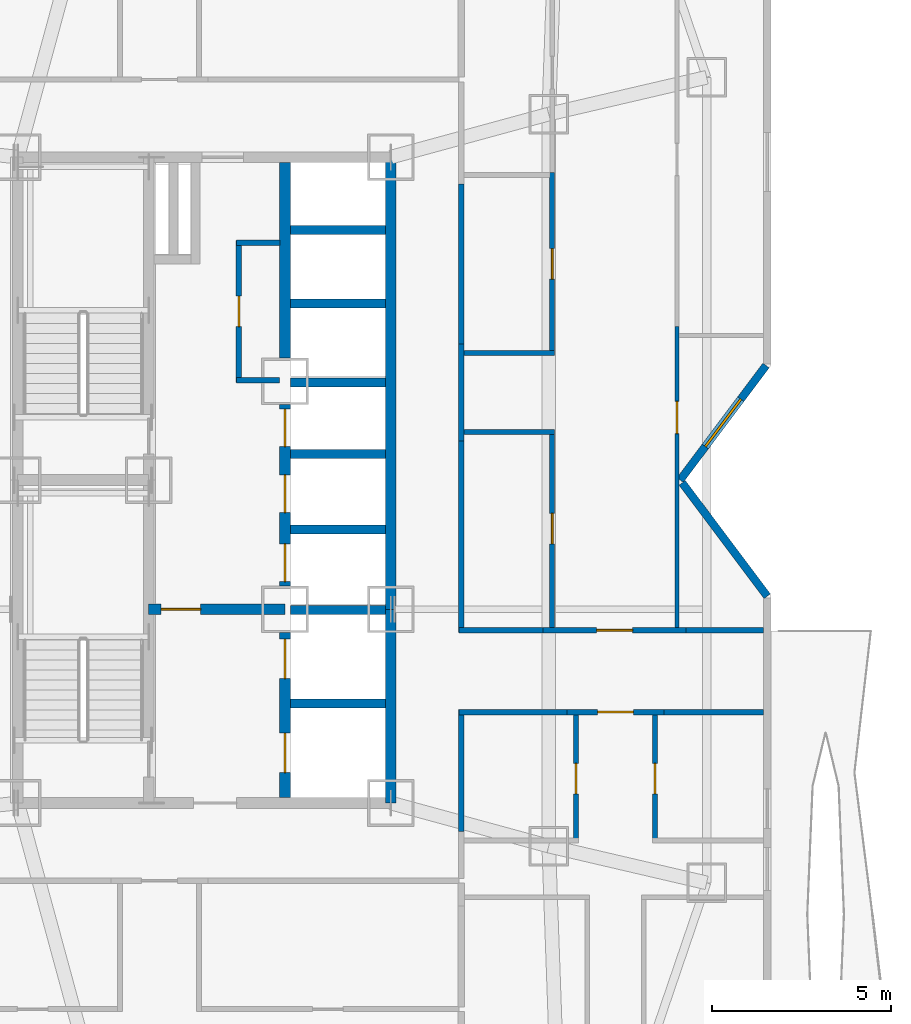
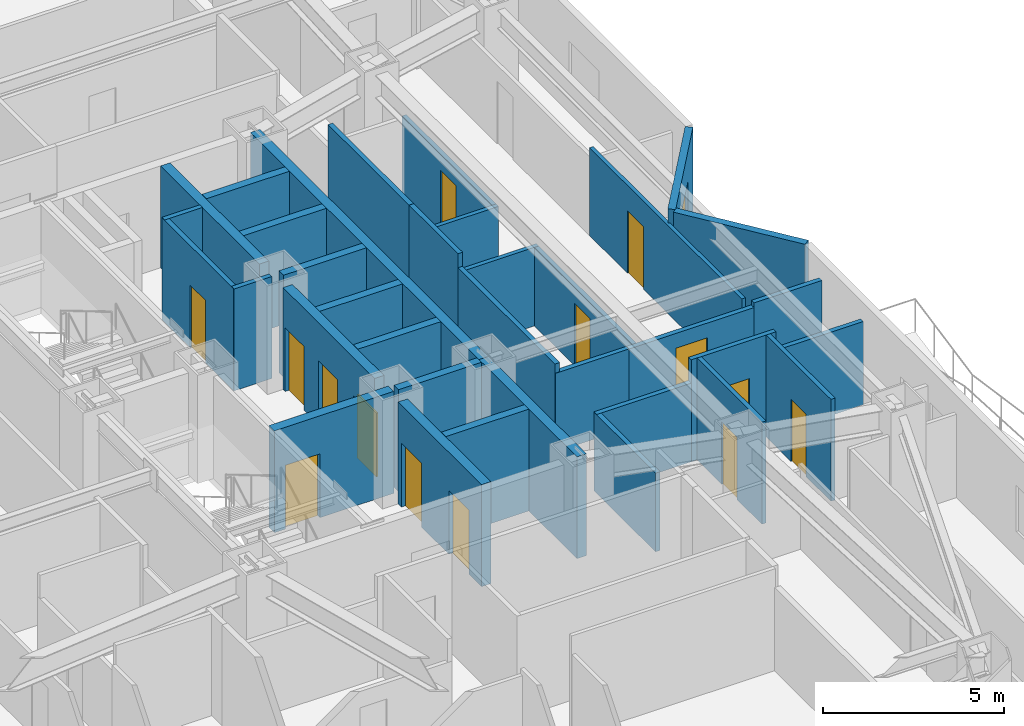
# One storey, part 11 of 16: 35 walls, 14 doors, 1 window, 15 openings.
"""IFC4 building model written with IfcOpenShell, lengths in metres."""

from ifc_helpers import new_model, si_unit, direction, frame, frame_2d, origin, place, context, subcontext, project, spatial, rectangle, extrude, material, layer, layer_set, type_object, element, fill, save


model = new_model("IFC4")

# Units and contexts
model_context = context("Model", 3, precision=1e-05, world=origin(), true_north=direction((0.0, 1.0)))
body_context = subcontext(model_context, "Body", "Model", "MODEL_VIEW")
ifc_project = project(units=[si_unit("LENGTHUNIT", "METRE"), si_unit("AREAUNIT", "SQUARE_METRE"), si_unit("VOLUMEUNIT", "CUBIC_METRE"), si_unit("PLANEANGLEUNIT", "RADIAN"), si_unit("MASSUNIT", "GRAM", prefix="KILO")], contexts=[model_context])

# Site, building, storey
site_placement = place(None, origin())
site = spatial("IfcSite", under=ifc_project, at=site_placement, CompositionType="ELEMENT")
building_placement = place(site_placement, origin())
building = spatial("IfcBuilding", under=site, at=building_placement, Name="Khamvora Tower", CompositionType="ELEMENT")
storey_placement = place(building_placement, frame((0.0, 0.0, 55.199951171875)))
storey = spatial("IfcBuildingStorey", under=building, at=storey_placement, Name="L13", CompositionType="ELEMENT", Elevation=55.199951171875)

# Walls
ifc_material_1 = material(Name="Concrete C50/60", Category="concrete")
ifc_layer_1 = layer(ifc_material_1, 0.300048828125)
ifc_layer_set_1 = layer_set([ifc_layer_1], Name="Concrete C50/60")
wall_type_1 = type_object("IfcWallType", Name="WAL-CORE-300", PredefinedType="SHEAR", material=ifc_layer_set_1)
wall_1_placement = place(storey_placement, frame((39.39990234375, 19.0, 0.0), z_axis=(0.0, 0.0, 1.0), x_axis=(0.0, 1.0, 0.0)))
element("IfcWall", 1, at=wall_1_placement, inside=storey, type_object=wall_type_1, Name="L13 central core east south wall", PredefinedType="SHEAR", context=body_context, shape_type="SweptSolid", body=[
    extrude(rectangle(XDim=5.39990234375, YDim=0.300048828125, at=frame_2d((2.699951171875, 0.0))), origin(), (0.0, 0.0, 1.0), 3.429931640625),
])
wall_2_placement = place(storey_placement, frame((39.39990234375, 24.39990234375, 0.0), z_axis=(0.0, 0.0, 1.0), x_axis=(0.0, 1.0, 0.0)))
element("IfcWall", 2, at=wall_2_placement, inside=storey, type_object=wall_type_1, Name="L13 central core east north wall", PredefinedType="SHEAR", context=body_context, shape_type="SweptSolid", body=[
    extrude(rectangle(XDim=12.60009765625, YDim=0.300048828125, at=frame_2d((6.300048828125, 0.0))), origin(), (0.0, 0.0, 1.0), 3.429931640625),
])

# Wall, opening, door
wall_3_placement = place(storey_placement, frame((32.64990234375, 24.39990234375, 0.0), z_axis=(0.0, 0.0, 1.0), x_axis=(1.0, 0.0, 0.0)))
wall_3 = element("IfcWall", 3, at=wall_3_placement, inside=storey, type_object=wall_type_1, Name="L13 central core firefighting lobby north wall", PredefinedType="SHEAR", context=body_context, shape_type="SweptSolid", body=[
    extrude(rectangle(XDim=3.800048828125, YDim=0.300048828125, at=frame_2d((1.89990234375, 0.0))), origin(), (0.0, 0.0, 1.0), 3.429931640625),
])
opening_1_placement = place(wall_3_placement, frame((0.35009765625, 0.0, 0.0)))
opening_1 = element("IfcOpeningElement", 4, at=opening_1_placement, cuts=wall_3, Name="Opening D-FF1", PredefinedType="OPENING", context=body_context, shape_type="SweptSolid", body=[
    extrude(rectangle(XDim=1.10009765625, YDim=2.14990234375, at=frame_2d((0.550048828125, 1.074951171875))), frame((0.0, 0.159912109375, 0.0), z_axis=(0.0, -1.0, 0.0), x_axis=(1.0, 0.0, 0.0)), (0.0, 0.0, 1.0), 0.320068359375),
])
ifc_material_2 = material(Name="Powder-Coated Steel and Hardwood Leaf", Category="steel")
door_type_1 = type_object("IfcDoorType", Name="DOR-FFLOB-1100", OperationType="NOTDEFINED", PredefinedType="DOOR", material=ifc_material_2)
door_1_placement = place(opening_1_placement, origin())
door_1 = element("IfcDoor", 5, at=door_1_placement, inside=storey, type_object=door_type_1, Name="L13 firefighting lobby smoke-seal fire door", OperationType="SINGLE_SWING_RIGHT", OverallHeight=2.14990234375, OverallWidth=1.10009765625, PredefinedType="DOOR", context=body_context, shape_type="SweptSolid", body=[
    extrude(rectangle(XDim=1.10009765625, YDim=2.14990234375, at=frame_2d((0.550048828125, 1.074951171875))), frame((0.0, 0.02490234375, 0.0), z_axis=(0.0, -1.0, 0.0), x_axis=(1.0, 0.0, 0.0)), (0.0, 0.0, 1.0), 0.050048828125),
])
fill(opening_1, door_1)

# Wall, openings, doors
wall_4_placement = place(storey_placement, frame((36.449951171875, 19.154052734375, 0.0), z_axis=(0.0, 0.0, 1.0), x_axis=(0.0, 1.0, 0.0)))
wall_4 = element("IfcWall", 6, at=wall_4_placement, inside=storey, type_object=wall_type_1, Name="L13 central core lift bank south wall", PredefinedType="SHEAR", context=body_context, shape_type="SweptSolid", body=[
    extrude(rectangle(XDim=4.595947265625, YDim=0.300048828125, at=frame_2d((2.2978515625, 0.0))), origin(), (0.0, 0.0, 1.0), 3.429931640625),
])
opening_2_placement = place(wall_4_placement, frame((0.696044921875, 0.0, 0.0)))
opening_2 = element("IfcOpeningElement", 7, at=opening_2_placement, cuts=wall_4, Name="Opening LD-FFL", PredefinedType="OPENING", context=body_context, shape_type="SweptSolid", body=[
    extrude(rectangle(XDim=1.10009765625, YDim=2.14990234375, at=frame_2d((0.550048828125, 1.074951171875))), frame((0.0, 0.159912109375, 0.0), z_axis=(0.0, -1.0, 0.0), x_axis=(1.0, 0.0, 0.0)), (0.0, 0.0, 1.0), 0.320068359375),
])
opening_3_placement = place(wall_4_placement, frame((3.31591796875, 0.0, 0.0)))
opening_3 = element("IfcOpeningElement", 8, at=opening_3_placement, cuts=wall_4, Name="Opening LD-FFL", PredefinedType="OPENING", context=body_context, shape_type="SweptSolid", body=[
    extrude(rectangle(XDim=1.10009765625, YDim=2.14990234375, at=frame_2d((0.550048828125, 1.074951171875))), frame((0.0, 0.159912109375, 0.0), z_axis=(0.0, -1.0, 0.0), x_axis=(1.0, 0.0, 0.0)), (0.0, 0.0, 1.0), 0.320068359375),
])
door_type_2 = type_object("IfcDoorType", Name="DOR-LIFT-1100", OperationType="SLIDING_TO_LEFT", PredefinedType="DOOR", material=ifc_material_2)
door_2_placement = place(opening_2_placement, origin())
door_2 = element("IfcDoor", 9, at=door_2_placement, inside=storey, type_object=door_type_2, Name="L13 lift landing sliding door FFL-01", OperationType="SLIDING_TO_LEFT", OverallHeight=2.14990234375, OverallWidth=1.10009765625, PredefinedType="DOOR", context=body_context, shape_type="SweptSolid", body=[
    extrude(rectangle(XDim=1.10009765625, YDim=2.14990234375, at=frame_2d((0.550048828125, 1.074951171875))), frame((0.0, 0.02490234375, 0.0), z_axis=(0.0, -1.0, 0.0), x_axis=(1.0, 0.0, 0.0)), (0.0, 0.0, 1.0), 0.050048828125),
])
fill(opening_2, door_2)
door_3_placement = place(opening_3_placement, origin())
door_3 = element("IfcDoor", 10, at=door_3_placement, inside=storey, type_object=door_type_2, Name="L13 lift landing sliding door FFL-02", OperationType="SLIDING_TO_LEFT", OverallHeight=2.14990234375, OverallWidth=1.10009765625, PredefinedType="DOOR", context=body_context, shape_type="SweptSolid", body=[
    extrude(rectangle(XDim=1.10009765625, YDim=2.14990234375, at=frame_2d((0.550048828125, 1.074951171875))), frame((0.0, 0.02490234375, 0.0), z_axis=(0.0, -1.0, 0.0), x_axis=(1.0, 0.0, 0.0)), (0.0, 0.0, 1.0), 0.050048828125),
])
fill(opening_3, door_3)

wall_5_placement = place(storey_placement, frame((36.449951171875, 25.050048828125, 0.0), z_axis=(0.0, 0.0, 1.0), x_axis=(0.0, 1.0, 0.0)))
wall_5 = element("IfcWall", 11, at=wall_5_placement, inside=storey, type_object=wall_type_1, Name="L13 central core lift bank central wall", PredefinedType="SHEAR", context=body_context, shape_type="SweptSolid", body=[
    extrude(rectangle(XDim=5.050048828125, YDim=0.300048828125, at=frame_2d((2.52490234375, 0.0))), origin(), (0.0, 0.0, 1.0), 3.429931640625),
])
opening_4_placement = place(wall_5_placement, frame((0.1201171875, 0.0, 0.0)))
opening_4 = element("IfcOpeningElement", 12, at=opening_4_placement, cuts=wall_5, Name="Opening LD-PL", PredefinedType="OPENING", context=body_context, shape_type="SweptSolid", body=[
    extrude(rectangle(XDim=1.050048828125, YDim=2.14990234375, at=frame_2d((0.52490234375, 1.074951171875))), frame((0.0, 0.159912109375, 0.0), z_axis=(0.0, -1.0, 0.0), x_axis=(1.0, 0.0, 0.0)), (0.0, 0.0, 1.0), 0.320068359375),
])
opening_5_placement = place(wall_5_placement, frame((2.044921875, 0.0, 0.0)))
opening_5 = element("IfcOpeningElement", 13, at=opening_5_placement, cuts=wall_5, Name="Opening LD-PL", PredefinedType="OPENING", context=body_context, shape_type="SweptSolid", body=[
    extrude(rectangle(XDim=1.050048828125, YDim=2.14990234375, at=frame_2d((0.52490234375, 1.074951171875))), frame((0.0, 0.159912109375, 0.0), z_axis=(0.0, -1.0, 0.0), x_axis=(1.0, 0.0, 0.0)), (0.0, 0.0, 1.0), 0.320068359375),
])
opening_6_placement = place(wall_5_placement, frame((3.8798828125, 0.0, 0.0)))
opening_6 = element("IfcOpeningElement", 14, at=opening_6_placement, cuts=wall_5, Name="Opening LD-PL", PredefinedType="OPENING", context=body_context, shape_type="SweptSolid", body=[
    extrude(rectangle(XDim=1.050048828125, YDim=2.14990234375, at=frame_2d((0.52490234375, 1.074951171875))), frame((0.0, 0.159912109375, 0.0), z_axis=(0.0, -1.0, 0.0), x_axis=(1.0, 0.0, 0.0)), (0.0, 0.0, 1.0), 0.320068359375),
])
door_type_3 = type_object("IfcDoorType", Name="DOR-LIFT-1050", OperationType="SLIDING_TO_LEFT", PredefinedType="DOOR", material=ifc_material_2)
door_4_placement = place(opening_4_placement, origin())
door_4 = element("IfcDoor", 15, at=door_4_placement, inside=storey, type_object=door_type_3, Name="L13 lift landing sliding door PL-01", OperationType="SLIDING_TO_LEFT", OverallHeight=2.14990234375, OverallWidth=1.050048828125, PredefinedType="DOOR", context=body_context, shape_type="SweptSolid", body=[
    extrude(rectangle(XDim=1.050048828125, YDim=2.14990234375, at=frame_2d((0.52490234375, 1.074951171875))), frame((0.0, 0.02490234375, 0.0), z_axis=(0.0, -1.0, 0.0), x_axis=(1.0, 0.0, 0.0)), (0.0, 0.0, 1.0), 0.050048828125),
])
fill(opening_4, door_4)
door_5_placement = place(opening_5_placement, origin())
door_5 = element("IfcDoor", 16, at=door_5_placement, inside=storey, type_object=door_type_3, Name="L13 lift landing sliding door PL-02", OperationType="SLIDING_TO_LEFT", OverallHeight=2.14990234375, OverallWidth=1.050048828125, PredefinedType="DOOR", context=body_context, shape_type="SweptSolid", body=[
    extrude(rectangle(XDim=1.050048828125, YDim=2.14990234375, at=frame_2d((0.52490234375, 1.074951171875))), frame((0.0, 0.02490234375, 0.0), z_axis=(0.0, -1.0, 0.0), x_axis=(1.0, 0.0, 0.0)), (0.0, 0.0, 1.0), 0.050048828125),
])
fill(opening_5, door_5)
door_6_placement = place(opening_6_placement, origin())
door_6 = element("IfcDoor", 17, at=door_6_placement, inside=storey, type_object=door_type_3, Name="L13 lift landing sliding door PL-03", OperationType="SLIDING_TO_LEFT", OverallHeight=2.14990234375, OverallWidth=1.050048828125, PredefinedType="DOOR", context=body_context, shape_type="SweptSolid", body=[
    extrude(rectangle(XDim=1.050048828125, YDim=2.14990234375, at=frame_2d((0.52490234375, 1.074951171875))), frame((0.0, 0.02490234375, 0.0), z_axis=(0.0, -1.0, 0.0), x_axis=(1.0, 0.0, 0.0)), (0.0, 0.0, 1.0), 0.050048828125),
])
fill(opening_6, door_6)

# Walls
wall_6_placement = place(storey_placement, frame((36.449951171875, 31.39990234375, 0.0), z_axis=(0.0, 0.0, 1.0), x_axis=(0.0, 1.0, 0.0)))
element("IfcWall", 18, at=wall_6_placement, inside=storey, type_object=wall_type_1, Name="L13 central core lift bank north wall", PredefinedType="SHEAR", context=body_context, shape_type="SweptSolid", body=[
    extrude(rectangle(XDim=5.446044921875, YDim=0.300048828125, at=frame_2d((2.72314453125, 0.0))), origin(), (0.0, 0.0, 1.0), 3.429931640625),
])
ifc_material_3 = material(Name="Fire-Rated Drywall and Steel Stud", Category="steel")
ifc_layer_2 = layer(ifc_material_3, 0.14990234375)
ifc_layer_set_2 = layer_set([ifc_layer_2], Name="Fire-Rated Drywall and Steel Stud")
wall_type_2 = type_object("IfcWallType", Name="WAL-CORR-150", PredefinedType="STANDARD", material=ifc_layer_set_2)
wall_7_placement = place(storey_placement, frame((36.305908203125, 34.614990234375, 0.0), z_axis=(0.0, 0.0, 1.0), x_axis=(-1.0, 0.0, 0.0)))
element("IfcWall", 19, at=wall_7_placement, inside=storey, type_object=wall_type_2, Name="L13 interior partition wall 001", PredefinedType="STANDARD", context=body_context, shape_type="SweptSolid", body=[
    extrude(rectangle(XDim=1.205810546875, YDim=0.14990234375, at=frame_2d((0.60302734375, 0.0))), origin(), (0.0, 0.0, 1.0), 3.429931640625),
])

# Wall, opening, door
wall_8_placement = place(storey_placement, frame((35.1650390625, 34.677978515625, 0.0), z_axis=(0.0, 0.0, 1.0), x_axis=(0.0, -1.0, 0.0)))
wall_8 = element("IfcWall", 20, at=wall_8_placement, inside=storey, type_object=wall_type_2, Name="L13 interior partition wall 002", PredefinedType="STANDARD", context=body_context, shape_type="SweptSolid", body=[
    extrude(rectangle(XDim=3.9580078125, YDim=0.14990234375, at=frame_2d((1.97900390625, 0.0))), origin(), (0.0, 0.0, 1.0), 3.429931640625),
])
opening_7_placement = place(wall_8_placement, frame((1.553955078125, 0.0, 0.0)))
opening_7 = element("IfcOpeningElement", 21, at=opening_7_placement, cuts=wall_8, Name="Opening D-WC1", PredefinedType="OPENING", context=body_context, shape_type="SweptSolid", body=[
    extrude(rectangle(XDim=0.85009765625, YDim=2.10009765625, at=frame_2d((0.425048828125, 1.050048828125))), frame((0.0, 0.0849609375, 0.0), z_axis=(0.0, -1.0, 0.0), x_axis=(1.0, 0.0, 0.0)), (0.0, 0.0, 1.0), 0.169921875),
])
door_type_4 = type_object("IfcDoorType", Name="DOR-WET-850", OperationType="NOTDEFINED", PredefinedType="DOOR", material=ifc_material_2)
door_7_placement = place(opening_7_placement, origin())
door_7 = element("IfcDoor", 22, at=door_7_placement, inside=storey, type_object=door_type_4, Name="L13 interior door PLL-CS1", OperationType="SINGLE_SWING_LEFT", OverallHeight=2.10009765625, OverallWidth=0.85009765625, PredefinedType="DOOR", context=body_context, shape_type="SweptSolid", body=[
    extrude(rectangle(XDim=0.85009765625, YDim=2.10009765625, at=frame_2d((0.425048828125, 1.050048828125))), frame((0.0, 0.02490234375, 0.0), z_axis=(0.0, -1.0, 0.0), x_axis=(1.0, 0.0, 0.0)), (0.0, 0.0, 1.0), 0.050048828125),
])
fill(opening_7, door_7)

# Wall
wall_9_placement = place(storey_placement, frame((35.10205078125, 30.784912109375, 0.0), z_axis=(0.0, 0.0, 1.0), x_axis=(1.0, 0.0, 0.0)))
element("IfcWall", 23, at=wall_9_placement, inside=storey, type_object=wall_type_2, Name="L13 interior partition wall 003", PredefinedType="STANDARD", context=body_context, shape_type="SweptSolid", body=[
    extrude(rectangle(XDim=1.197998046875, YDim=0.14990234375, at=frame_2d((0.59912109375, 0.0))), origin(), (0.0, 0.0, 1.0), 3.429931640625),
])

# Wall, opening, door
wall_10_placement = place(storey_placement, frame((47.009033203125, 21.534912109375, 0.0), z_axis=(0.0, 0.0, 1.0), x_axis=(-1.0, 0.0, 0.0)))
wall_10 = element("IfcWall", 24, at=wall_10_placement, inside=storey, type_object=wall_type_2, Name="L13 interior partition wall 028", PredefinedType="STANDARD", context=body_context, shape_type="SweptSolid", body=[
    extrude(rectangle(XDim=2.697998046875, YDim=0.14990234375, at=frame_2d((1.34912109375, 0.0))), origin(), (0.0, 0.0, 1.0), 3.429931640625),
])
opening_8_placement = place(wall_10_placement, frame((0.84912109375, 0.0, 0.0)))
opening_8 = element("IfcOpeningElement", 25, at=opening_8_placement, cuts=wall_10, Name="Opening D-U1", PredefinedType="OPENING", context=body_context, shape_type="SweptSolid", body=[
    extrude(rectangle(XDim=1.0, YDim=2.14990234375, at=frame_2d((0.5, 1.074951171875))), frame((0.0, 0.0849609375, 0.0), z_axis=(0.0, -1.0, 0.0), x_axis=(1.0, 0.0, 0.0)), (0.0, 0.0, 1.0), 0.169921875),
])
door_type_5 = type_object("IfcDoorType", Name="DOR-UNIT-1000", OperationType="NOTDEFINED", PredefinedType="DOOR", material=ifc_material_2)
door_8_placement = place(opening_8_placement, origin())
door_8 = element("IfcDoor", 26, at=door_8_placement, inside=storey, type_object=door_type_5, Name="L13 interior door COR-13EAH", OperationType="SINGLE_SWING_RIGHT", OverallHeight=2.14990234375, OverallWidth=1.0, PredefinedType="DOOR", context=body_context, shape_type="SweptSolid", body=[
    extrude(rectangle(XDim=1.0, YDim=2.14990234375, at=frame_2d((0.5, 1.074951171875))), frame((0.0, 0.02490234375, 0.0), z_axis=(0.0, -1.0, 0.0), x_axis=(1.0, 0.0, 0.0)), (0.0, 0.0, 1.0), 0.050048828125),
])
fill(opening_8, door_8)

# Walls
wall_11_placement = place(storey_placement, frame((44.31103515625, 21.534912109375, 0.0), z_axis=(0.0, 0.0, 1.0), x_axis=(-1.0, 0.0, 0.0)))
element("IfcWall", 27, at=wall_11_placement, inside=storey, type_object=wall_type_2, Name="L13 interior partition wall 030", PredefinedType="STANDARD", context=body_context, shape_type="SweptSolid", body=[
    extrude(rectangle(XDim=3.010986328125, YDim=0.14990234375, at=frame_2d((1.50537109375, 0.0))), origin(), (0.0, 0.0, 1.0), 2.64697265625),
])
wall_12_placement = place(storey_placement, frame((41.364990234375, 21.60009765625, 0.0), z_axis=(0.0, 0.0, 1.0), x_axis=(0.0, -1.0, 0.0)))
element("IfcWall", 28, at=wall_12_placement, inside=storey, type_object=wall_type_2, Name="L13 interior partition wall 031", PredefinedType="STANDARD", context=body_context, shape_type="SweptSolid", body=[
    extrude(rectangle(XDim=3.39599609375, YDim=0.14990234375, at=frame_2d((1.697998046875, 0.0))), origin(), (0.0, 0.0, 1.0), 2.64697265625),
])
wall_13_placement = place(storey_placement, frame((49.7880859375, 21.534912109375, 0.0), z_axis=(0.0, 0.0, 1.0), x_axis=(-1.0, 0.0, 0.0)))
element("IfcWall", 29, at=wall_13_placement, inside=storey, type_object=wall_type_2, Name="L13 interior partition wall 032", PredefinedType="STANDARD", context=body_context, shape_type="SweptSolid", body=[
    extrude(rectangle(XDim=2.779052734375, YDim=0.14990234375, at=frame_2d((1.3896484375, 0.0))), origin(), (0.0, 0.0, 1.0), 2.802978515625),
])
wall_14_placement = place(storey_placement, frame((41.364990234375, 31.7900390625, 0.0), z_axis=(0.0, 0.0, 1.0), x_axis=(0.0, -1.0, 0.0)))
element("IfcWall", 30, at=wall_14_placement, inside=storey, type_object=wall_type_2, Name="L13 interior partition wall 034", PredefinedType="STANDARD", context=body_context, shape_type="SweptSolid", body=[
    extrude(rectangle(XDim=2.697998046875, YDim=0.14990234375, at=frame_2d((1.34912109375, 0.0))), origin(), (0.0, 0.0, 1.0), 3.429931640625),
])

# Wall, opening, door
wall_15_placement = place(storey_placement, frame((43.64599609375, 23.81494140625, 0.0), z_axis=(0.0, 0.0, 1.0), x_axis=(1.0, 0.0, 0.0)))
wall_15 = element("IfcWall", 31, at=wall_15_placement, inside=storey, type_object=wall_type_2, Name="L13 interior partition wall 035", PredefinedType="STANDARD", context=body_context, shape_type="SweptSolid", body=[
    extrude(rectangle(XDim=3.97802734375, YDim=0.14990234375, at=frame_2d((1.989013671875, 0.0))), origin(), (0.0, 0.0, 1.0), 2.64697265625),
])
opening_9_placement = place(wall_15_placement, frame((1.489013671875, 0.0, 0.0)))
opening_9 = element("IfcOpeningElement", 32, at=opening_9_placement, cuts=wall_15, Name="Opening D-U1", PredefinedType="OPENING", context=body_context, shape_type="SweptSolid", body=[
    extrude(rectangle(XDim=1.0, YDim=2.14990234375, at=frame_2d((0.5, 1.074951171875))), frame((0.0, 0.0849609375, 0.0), z_axis=(0.0, -1.0, 0.0), x_axis=(1.0, 0.0, 0.0)), (0.0, 0.0, 1.0), 0.169921875),
])
door_9_placement = place(opening_9_placement, origin())
door_9 = element("IfcDoor", 33, at=door_9_placement, inside=storey, type_object=door_type_5, Name="L13 interior door COR-13EBH", OperationType="SINGLE_SWING_LEFT", OverallHeight=2.14990234375, OverallWidth=1.0, PredefinedType="DOOR", context=body_context, shape_type="SweptSolid", body=[
    extrude(rectangle(XDim=1.0, YDim=2.14990234375, at=frame_2d((0.5, 1.074951171875))), frame((0.0, 0.02490234375, 0.0), z_axis=(0.0, -1.0, 0.0), x_axis=(1.0, 0.0, 0.0)), (0.0, 0.0, 1.0), 0.050048828125),
])
fill(opening_9, door_9)

# Walls
wall_16_placement = place(storey_placement, frame((41.364990234375, 36.257080078125, 0.0), z_axis=(0.0, 0.0, 1.0), x_axis=(0.0, -1.0, 0.0)))
element("IfcWall", 34, at=wall_16_placement, inside=storey, type_object=wall_type_2, Name="L13 interior partition wall 036", PredefinedType="STANDARD", context=body_context, shape_type="SweptSolid", body=[
    extrude(rectangle(XDim=4.467041015625, YDim=0.14990234375, at=frame_2d((2.2333984375, 0.0))), origin(), (0.0, 0.0, 1.0), 3.429931640625),
])
wall_17_placement = place(storey_placement, frame((41.364990234375, 29.092041015625, 0.0), z_axis=(0.0, 0.0, 1.0), x_axis=(0.0, -1.0, 0.0)))
element("IfcWall", 35, at=wall_17_placement, inside=storey, type_object=wall_type_2, Name="L13 interior partition wall 037", PredefinedType="STANDARD", context=body_context, shape_type="SweptSolid", body=[
    extrude(rectangle(XDim=5.342041015625, YDim=0.14990234375, at=frame_2d((2.6708984375, 0.0))), origin(), (0.0, 0.0, 1.0), 2.95703125),
])
wall_18_placement = place(storey_placement, frame((41.300048828125, 23.81494140625, 0.0), z_axis=(0.0, 0.0, 1.0), x_axis=(1.0, 0.0, 0.0)))
element("IfcWall", 36, at=wall_18_placement, inside=storey, type_object=wall_type_2, Name="L13 interior partition wall 038", PredefinedType="STANDARD", context=body_context, shape_type="SweptSolid", body=[
    extrude(rectangle(XDim=2.345947265625, YDim=0.14990234375, at=frame_2d((1.1728515625, 0.0))), origin(), (0.0, 0.0, 1.0), 2.64697265625),
])
wall_19_placement = place(storey_placement, frame((47.6240234375, 23.81494140625, 0.0), z_axis=(0.0, 0.0, 1.0), x_axis=(1.0, 0.0, 0.0)))
element("IfcWall", 37, at=wall_19_placement, inside=storey, type_object=wall_type_2, Name="L13 interior partition wall 039", PredefinedType="STANDARD", context=body_context, shape_type="SweptSolid", body=[
    extrude(rectangle(XDim=2.1640625, YDim=0.14990234375, at=frame_2d((1.08203125, 0.0))), origin(), (0.0, 0.0, 1.0), 2.802978515625),
])

# Wall, opening, window
ifc_material_4 = material(Name="Precast concrete C40/50", Category="concrete")
ifc_layer_3 = layer(ifc_material_4, 0.219970703125)
ifc_layer_set_3 = layer_set([ifc_layer_3], Name="Precast concrete C40/50")
wall_type_3 = type_object("IfcWallType", Name="WAL-EXT-220", PredefinedType="STANDARD", material=ifc_layer_set_3)
wall_20_placement = place(storey_placement, frame((49.85595703125, 31.19091796875, 0.0), z_axis=(0.0, 0.0, 1.0), x_axis=(-0.600137081448, -0.799897170561, 0.0)))
wall_20 = element("IfcWall", 38, at=wall_20_placement, inside=storey, type_object=wall_type_3, Name="L13 exterior facade wall 10.1", PredefinedType="STANDARD", context=body_context, shape_type="SweptSolid", body=[
    extrude(rectangle(XDim=3.9892578125, YDim=0.219970703125, at=frame_2d((1.99462890625, 0.0))), origin(), (0.0, 0.0, 1.0), 3.429931640625),
])
opening_10_placement = place(wall_20_placement, frame((1.169921875, 0.0, 0.85009765625)))
opening_10 = element("IfcOpeningElement", 39, at=opening_10_placement, cuts=wall_20, Name="Opening WN-06", PredefinedType="OPENING", context=body_context, shape_type="SweptSolid", body=[
    extrude(rectangle(XDim=1.64990234375, YDim=1.550048828125, at=frame_2d((0.824951171875, 0.77490234375))), frame((0.0, 0.119873046875, 0.0), z_axis=(0.0, -1.0, 0.0), x_axis=(1.0, 0.0, 0.0)), (0.0, 0.0, 1.0), 0.239990234375),
])
ifc_material_5 = material(Name="Low-E Laminated Double Glazing", Category="glass")
window_type = type_object("IfcWindowType", Name="WIN-VIS-1650x1550", PartitioningType="SINGLE_PANEL", PredefinedType="WINDOW", material=ifc_material_5)
window_placement = place(opening_10_placement, origin())
window = element("IfcWindow", 40, at=window_placement, inside=storey, type_object=window_type, Name="L13 vision window 10.1.01", OverallHeight=1.550048828125, OverallWidth=1.64990234375, PartitioningType="SINGLE_PANEL", PredefinedType="WINDOW", context=body_context, shape_type="SweptSolid", body=[
    extrude(rectangle(XDim=1.64990234375, YDim=1.550048828125, at=frame_2d((0.824951171875, 0.77490234375))), frame((0.0, 0.030029296875, 0.0), z_axis=(0.0, -1.0, 0.0), x_axis=(1.0, 0.0, 0.0)), (0.0, 0.0, 1.0), 0.06005859375),
])
fill(opening_10, window)

# Wall
wall_21_placement = place(storey_placement, frame((47.51904296875, 27.923095703125, 0.0), z_axis=(0.0, 0.0, 1.0), x_axis=(0.600118645218, -0.799911002338, 0.0)))
element("IfcWall", 41, at=wall_21_placement, inside=storey, type_object=wall_type_3, Name="L13 exterior facade wall 11.1", PredefinedType="STANDARD", context=body_context, shape_type="SweptSolid", body=[
    extrude(rectangle(XDim=3.95068359375, YDim=0.219970703125, at=frame_2d((1.975341796875, 0.0))), origin(), (0.0, 0.0, 1.0), 3.429931640625),
])

# Wall, opening, door
ifc_material_6 = material(Name="Gypsum Plasterboard Partition", Category="gypsum")
ifc_layer_4 = layer(ifc_material_6, 0.1201171875)
ifc_layer_set_4 = layer_set([ifc_layer_4], Name="Gypsum Plasterboard Partition")
wall_type_4 = type_object("IfcWallType", Name="WAL-PART-120", PredefinedType="PARTITIONING", material=ifc_layer_set_4)
wall_22_placement = place(storey_placement, frame((47.375, 32.27587890625, 0.0), z_axis=(0.0, 0.0, 1.0), x_axis=(0.0, -1.0, 0.0)))
wall_22 = element("IfcWall", 42, at=wall_22_placement, inside=storey, type_object=wall_type_4, Name="L13 interior partition wall 142", PredefinedType="PARTITIONING", context=body_context, shape_type="SweptSolid", body=[
    extrude(rectangle(XDim=8.393798828125, YDim=0.1201171875, at=frame_2d((4.19677734375, 0.0))), origin(), (0.0, 0.0, 1.0), 2.95703125),
])
opening_11_placement = place(wall_22_placement, frame((2.08203125, 0.0, 0.0)))
opening_11 = element("IfcOpeningElement", 43, at=opening_11_placement, cuts=wall_22, Name="Opening D-RM1", PredefinedType="OPENING", context=body_context, shape_type="SweptSolid", body=[
    extrude(rectangle(XDim=0.89990234375, YDim=2.10009765625, at=frame_2d((0.449951171875, 1.050048828125))), frame((0.0, 0.070068359375, 0.0), z_axis=(0.0, -1.0, 0.0), x_axis=(1.0, 0.0, 0.0)), (0.0, 0.0, 1.0), 0.14013671875),
])
door_type_6 = type_object("IfcDoorType", Name="DOR-ROOM-900", OperationType="NOTDEFINED", PredefinedType="DOOR", material=ifc_material_2)
door_10_placement = place(opening_11_placement, origin())
door_10 = element("IfcDoor", 44, at=door_10_placement, inside=storey, type_object=door_type_6, Name="L13 interior door 13EBH-13EBL", OperationType="SINGLE_SWING_RIGHT", OverallHeight=2.10009765625, OverallWidth=0.89990234375, PredefinedType="DOOR", context=body_context, shape_type="SweptSolid", body=[
    extrude(rectangle(XDim=0.89990234375, YDim=2.10009765625, at=frame_2d((0.449951171875, 1.050048828125))), frame((0.0, 0.02490234375, 0.0), z_axis=(0.0, -1.0, 0.0), x_axis=(1.0, 0.0, 0.0)), (0.0, 0.0, 1.0), 0.050048828125),
])
fill(opening_11, door_10)

# Walls
ifc_material_7 = material(Name="Concrete C40/50", Category="concrete")
ifc_layer_5 = layer(ifc_material_7, 0.25)
ifc_layer_set_5 = layer_set([ifc_layer_5], Name="Concrete C40/50")
wall_type_5 = type_object("IfcWallType", Name="WAL-PODS-250", PredefinedType="SHEAR", material=ifc_layer_set_5)
for number, where, z_axis, x_axis, name in (
    (45, (36.60400390625, 21.77490234375, 0.0), (0.0, 0.0, 1.0), (1.0, 0.0, 0.0), "L13 lift shaft divider wall FFL-01"),
    (46, (36.60400390625, 24.375, 0.0), (0.0, 0.0, 1.0), (1.0, 0.0, 0.0), "L13 lift shaft divider wall FFL-02"),
    (47, (36.60400390625, 26.625, 0.0), (0.0, 0.0, 1.0), (1.0, 0.0, 0.0), "L13 lift shaft divider wall PL-01"),
    (48, (36.60400390625, 28.72509765625, 0.0), (0.0, 0.0, 1.0), (1.0, 0.0, 0.0), "L13 lift shaft divider wall PL-02"),
    (49, (36.60400390625, 30.72509765625, 0.0), (0.0, 0.0, 1.0), (1.0, 0.0, 0.0), "L13 lift shaft divider wall PL-03"),
    (50, (36.60400390625, 32.925048828125, 0.0), (0.0, 0.0, 1.0), (1.0, 0.0, 0.0), "L13 lift shaft divider wall PH-01"),
    (51, (36.60400390625, 34.97509765625, 0.0), (0.0, 0.0, 1.0), (1.0, 0.0, 0.0), "L13 lift shaft divider wall PH-02"),
):
    element("IfcWall", number, at=place(storey_placement, frame(where, z_axis=z_axis, x_axis=x_axis)), inside=storey, type_object=wall_type_5, Name=name, PredefinedType="SHEAR", context=body_context, shape_type="SweptSolid", body=[
        extrude(rectangle(XDim=2.64208984375, YDim=0.25, at=frame_2d((1.321044921875, 0.0))), origin(), (0.0, 0.0, 1.0), 3.429931640625),
    ])

# Wall, opening, door
ifc_material_8 = material(Name="Moisture-Resistant Plasterboard Partition", Category="gypsum")
ifc_layer_6 = layer(ifc_material_8, 0.135009765625)
ifc_layer_set_6 = layer_set([ifc_layer_6], Name="Moisture-Resistant Plasterboard Partition")
wall_type_6 = type_object("IfcWallType", Name="WAL-WET-135", PredefinedType="PARTITIONING", material=ifc_layer_set_6)
wall_23_placement = place(storey_placement, frame((44.56005859375, 17.889892578125, 0.0), z_axis=(0.0, 0.0, 1.0), x_axis=(0.0, 1.0, 0.0)))
wall_23 = element("IfcWall", 52, at=wall_23_placement, inside=storey, type_object=wall_type_6, Name="L13 interior partition wall 126", PredefinedType="PARTITIONING", context=body_context, shape_type="SweptSolid", body=[
    extrude(rectangle(XDim=3.580078125, YDim=0.135009765625, at=frame_2d((1.7900390625, 0.0))), origin(), (0.0, 0.0, 1.0), 3.429931640625),
])
opening_12_placement = place(wall_23_placement, frame((1.364990234375, 0.0, 0.0)))
opening_12 = element("IfcOpeningElement", 53, at=opening_12_placement, cuts=wall_23, Name="Opening D-WC1", PredefinedType="OPENING", context=body_context, shape_type="SweptSolid", body=[
    extrude(rectangle(XDim=0.85009765625, YDim=2.10009765625, at=frame_2d((0.425048828125, 1.050048828125))), frame((0.0, 0.077392578125, 0.0), z_axis=(0.0, -1.0, 0.0), x_axis=(1.0, 0.0, 0.0)), (0.0, 0.0, 1.0), 0.155029296875),
])
door_11_placement = place(opening_12_placement, origin())
door_11 = element("IfcDoor", 54, at=door_11_placement, inside=storey, type_object=door_type_4, Name="L13 interior door 13EAH-13EAB", OperationType="SINGLE_SWING_RIGHT", OverallHeight=2.10009765625, OverallWidth=0.85009765625, PredefinedType="DOOR", context=body_context, shape_type="SweptSolid", body=[
    extrude(rectangle(XDim=0.85009765625, YDim=2.10009765625, at=frame_2d((0.425048828125, 1.050048828125))), frame((0.0, 0.02490234375, 0.0), z_axis=(0.0, -1.0, 0.0), x_axis=(1.0, 0.0, 0.0)), (0.0, 0.0, 1.0), 0.050048828125),
])
fill(opening_12, door_11)

wall_24_placement = place(storey_placement, frame((46.760009765625, 21.469970703125, 0.0), z_axis=(0.0, 0.0, 1.0), x_axis=(0.0, -1.0, 0.0)))
wall_24 = element("IfcWall", 55, at=wall_24_placement, inside=storey, type_object=wall_type_6, Name="L13 interior partition wall 127", PredefinedType="PARTITIONING", context=body_context, shape_type="SweptSolid", body=[
    extrude(rectangle(XDim=3.580078125, YDim=0.135009765625, at=frame_2d((1.7900390625, 0.0))), origin(), (0.0, 0.0, 1.0), 3.429931640625),
])
opening_13_placement = place(wall_24_placement, frame((1.364990234375, 0.0, 0.0)))
opening_13 = element("IfcOpeningElement", 56, at=opening_13_placement, cuts=wall_24, Name="Opening D-RM2", PredefinedType="OPENING", context=body_context, shape_type="SweptSolid", body=[
    extrude(rectangle(XDim=0.85009765625, YDim=2.10009765625, at=frame_2d((0.425048828125, 1.050048828125))), frame((0.0, 0.077392578125, 0.0), z_axis=(0.0, -1.0, 0.0), x_axis=(1.0, 0.0, 0.0)), (0.0, 0.0, 1.0), 0.155029296875),
])
door_type_7 = type_object("IfcDoorType", Name="DOR-ROOM-850", OperationType="NOTDEFINED", PredefinedType="DOOR", material=ifc_material_2)
door_12_placement = place(opening_13_placement, origin())
door_12 = element("IfcDoor", 57, at=door_12_placement, inside=storey, type_object=door_type_7, Name="L13 interior door 13EAH-13EAK", OperationType="SINGLE_SWING_RIGHT", OverallHeight=2.10009765625, OverallWidth=0.85009765625, PredefinedType="DOOR", context=body_context, shape_type="SweptSolid", body=[
    extrude(rectangle(XDim=0.85009765625, YDim=2.10009765625, at=frame_2d((0.425048828125, 1.050048828125))), frame((0.0, 0.02490234375, 0.0), z_axis=(0.0, -1.0, 0.0), x_axis=(1.0, 0.0, 0.0)), (0.0, 0.0, 1.0), 0.050048828125),
])
fill(opening_13, door_12)

# Wall
wall_25_placement = place(storey_placement, frame((41.431884765625, 31.541015625, 0.0), z_axis=(0.0, 0.0, 1.0), x_axis=(1.0, 0.0, 0.0)))
element("IfcWall", 58, at=wall_25_placement, inside=storey, type_object=wall_type_6, Name="L13 interior partition wall 138", PredefinedType="PARTITIONING", context=body_context, shape_type="SweptSolid", body=[
    extrude(rectangle(XDim=2.528076171875, YDim=0.135009765625, at=frame_2d((1.26416015625, 0.0))), origin(), (0.0, 0.0, 1.0), 2.64697265625),
])

# Wall, opening, door
wall_26_placement = place(storey_placement, frame((43.89501953125, 31.47607421875, 0.0), z_axis=(0.0, 0.0, 1.0), x_axis=(0.0, 1.0, 0.0)))
wall_26 = element("IfcWall", 59, at=wall_26_placement, inside=storey, type_object=wall_type_6, Name="L13 interior partition wall 139", PredefinedType="PARTITIONING", context=body_context, shape_type="SweptSolid", body=[
    extrude(rectangle(XDim=5.094970703125, YDim=0.135009765625, at=frame_2d((2.54736328125, 0.0))), origin(), (0.0, 0.0, 1.0), 2.64697265625),
])
opening_14_placement = place(wall_26_placement, frame((2.123046875, 0.0, 0.0)))
opening_14 = element("IfcOpeningElement", 60, at=opening_14_placement, cuts=wall_26, Name="Opening D-WC1", PredefinedType="OPENING", context=body_context, shape_type="SweptSolid", body=[
    extrude(rectangle(XDim=0.85009765625, YDim=2.10009765625, at=frame_2d((0.425048828125, 1.050048828125))), frame((0.0, 0.077392578125, 0.0), z_axis=(0.0, -1.0, 0.0), x_axis=(1.0, 0.0, 0.0)), (0.0, 0.0, 1.0), 0.155029296875),
])
door_13_placement = place(opening_14_placement, origin())
door_13 = element("IfcDoor", 61, at=door_13_placement, inside=storey, type_object=door_type_4, Name="L13 interior door 13EBH-13EBB", OperationType="SINGLE_SWING_RIGHT", OverallHeight=2.10009765625, OverallWidth=0.85009765625, PredefinedType="DOOR", context=body_context, shape_type="SweptSolid", body=[
    extrude(rectangle(XDim=0.85009765625, YDim=2.10009765625, at=frame_2d((0.425048828125, 1.050048828125))), frame((0.0, 0.02490234375, 0.0), z_axis=(0.0, -1.0, 0.0), x_axis=(1.0, 0.0, 0.0)), (0.0, 0.0, 1.0), 0.050048828125),
])
fill(opening_14, door_13)

wall_27_placement = place(storey_placement, frame((43.89501953125, 23.882080078125, 0.0), z_axis=(0.0, 0.0, 1.0), x_axis=(0.0, 1.0, 0.0)))
wall_27 = element("IfcWall", 62, at=wall_27_placement, inside=storey, type_object=wall_type_6, Name="L13 interior partition wall 140", PredefinedType="PARTITIONING", context=body_context, shape_type="SweptSolid", body=[
    extrude(rectangle(XDim=5.52392578125, YDim=0.135009765625, at=frame_2d((2.761962890625, 0.0))), origin(), (0.0, 0.0, 1.0), 2.64697265625),
])
opening_15_placement = place(wall_27_placement, frame((2.3369140625, 0.0, 0.0)))
opening_15 = element("IfcOpeningElement", 63, at=opening_15_placement, cuts=wall_27, Name="Opening D-RM2", PredefinedType="OPENING", context=body_context, shape_type="SweptSolid", body=[
    extrude(rectangle(XDim=0.85009765625, YDim=2.10009765625, at=frame_2d((0.425048828125, 1.050048828125))), frame((0.0, 0.077392578125, 0.0), z_axis=(0.0, -1.0, 0.0), x_axis=(1.0, 0.0, 0.0)), (0.0, 0.0, 1.0), 0.155029296875),
])
door_14_placement = place(opening_15_placement, origin())
door_14 = element("IfcDoor", 64, at=door_14_placement, inside=storey, type_object=door_type_7, Name="L13 interior door 13EBH-13EBK", OperationType="SINGLE_SWING_LEFT", OverallHeight=2.10009765625, OverallWidth=0.85009765625, PredefinedType="DOOR", context=body_context, shape_type="SweptSolid", body=[
    extrude(rectangle(XDim=0.85009765625, YDim=2.10009765625, at=frame_2d((0.425048828125, 1.050048828125))), frame((0.0, 0.02490234375, 0.0), z_axis=(0.0, -1.0, 0.0), x_axis=(1.0, 0.0, 0.0)), (0.0, 0.0, 1.0), 0.050048828125),
])
fill(opening_15, door_14)

# Wall
wall_28_placement = place(storey_placement, frame((43.9599609375, 29.341064453125, 0.0), z_axis=(0.0, 0.0, 1.0), x_axis=(-1.0, 0.0, 0.0)))
element("IfcWall", 65, at=wall_28_placement, inside=storey, type_object=wall_type_6, Name="L13 interior partition wall 141", PredefinedType="PARTITIONING", context=body_context, shape_type="SweptSolid", body=[
    extrude(rectangle(XDim=2.528076171875, YDim=0.135009765625, at=frame_2d((1.26416015625, 0.0))), origin(), (0.0, 0.0, 1.0), 2.64697265625),
])

save(model, "model.ifc")
